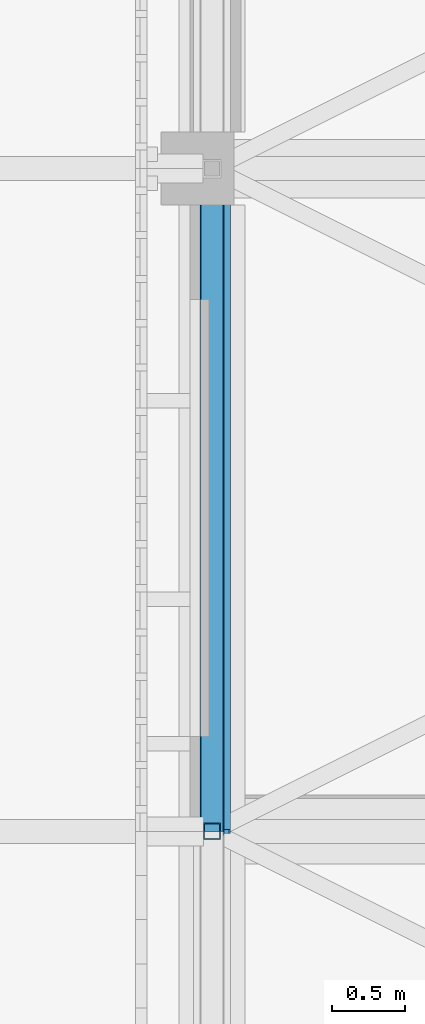
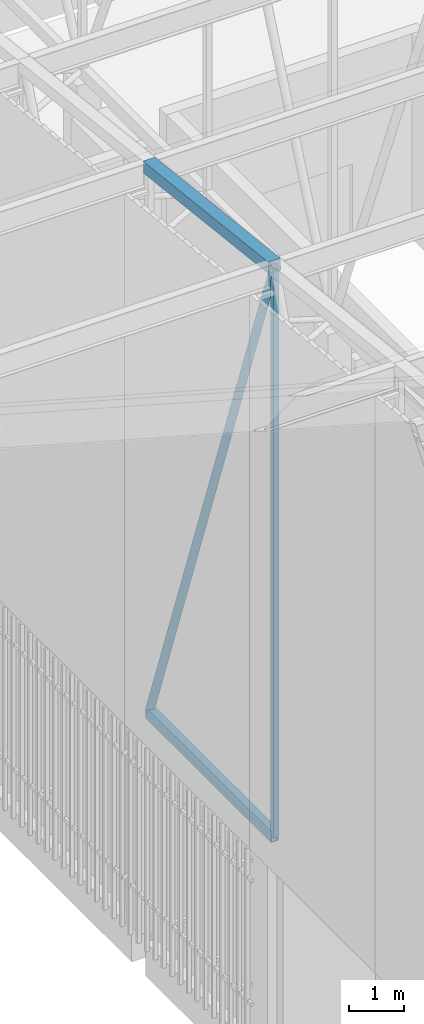
# One storey, part 170 of 500: 4 members.
"""IFC4 building model written with IfcOpenShell, lengths in metres."""

from ifc_helpers import new_model, si_unit, direction, frame, origin, origin_2d, place, context, subcontext, project, spatial, hollow_rectangle, hollow_circle, extrude, material, material_profile, profile_set, type_object, element, save


model = new_model("IFC4")

# Units and contexts
model_context = context("Model", 3, precision=1e-05, world=origin(), true_north=direction((0.0, 1.0)))
body_context = subcontext(model_context, "Body", "Model", "MODEL_VIEW")
ifc_project = project(units=[si_unit("LENGTHUNIT", "METRE"), si_unit("AREAUNIT", "SQUARE_METRE"), si_unit("VOLUMEUNIT", "CUBIC_METRE"), si_unit("PLANEANGLEUNIT", "RADIAN"), si_unit("MASSUNIT", "GRAM", prefix="KILO")], contexts=[model_context])

# Site, building, storey
site_placement = place(None, origin())
site = spatial("IfcSite", under=ifc_project, at=site_placement, CompositionType="ELEMENT")
building_placement = place(site_placement, origin())
building = spatial("IfcBuilding", under=site, at=building_placement, Name="Shirokan Park Arena", CompositionType="ELEMENT")
storey_placement = place(building_placement, frame((0.0, 0.0, 29.1201171875)))
storey = spatial("IfcBuildingStorey", under=building, at=storey_placement, Name="L06", CompositionType="ELEMENT", Elevation=29.1201171875)

# Members
ifc_material = material(Name="Steel ASTM A500 Grade C", Category="steel")
ifc_material_profile_1 = material_profile(ifc_material, hollow_rectangle(XDim=0.152099609375, YDim=0.25390625, WallThickness=0.009521484375, at=origin_2d()), Name="HSS254X152.4X9.5")
ifc_profile_set_1 = profile_set([ifc_material_profile_1], Name="Steel ASTM A500 Grade C")
member_type_1 = type_object("IfcMemberType", Name="Bottom chord HSS254X152.4X9.5", PredefinedType="CHORD", material=ifc_profile_set_1)
member_1_placement = place(storey_placement, frame((0.0, 68.25, 4.677001953125), z_axis=(0.0, 1.0, 0.0), x_axis=(-1.0, 0.0, 0.0)))
element("IfcMember", 1, at=member_1_placement, inside=storey, type_object=member_type_1, Name="Truss T01 bottom chord 18", PredefinedType="CHORD", context=body_context, shape_type="SweptSolid", body=[
    extrude(hollow_rectangle(XDim=0.152099609375, YDim=0.25390625, WallThickness=0.009521484375, at=origin_2d()), origin(), (0.0, 0.0, 1.0), 4.550048828125),
])
ifc_material_profile_2 = material_profile(ifc_material, hollow_rectangle(XDim=0.25390625, YDim=0.25390625, WallThickness=0.009521484375, at=origin_2d()), Name="HSS254X254X9.5")
ifc_profile_set_2 = profile_set([ifc_material_profile_2], Name="Steel ASTM A500 Grade C")
member_type_2 = type_object("IfcMemberType", Name="Top chord HSS254X254X9.5", PredefinedType="CHORD", material=ifc_profile_set_2)
member_2_placement = place(storey_placement, frame((0.0, 68.25, 17.302978515625), z_axis=(0.0, 0.993532328996, -0.113549598152), x_axis=(-1.0, 0.0, 0.0)))
element("IfcMember", 2, at=member_2_placement, inside=storey, type_object=member_type_2, Name="Truss T01 top chord 18", PredefinedType="CHORD", context=body_context, shape_type="SweptSolid", body=[
    extrude(hollow_rectangle(XDim=0.25390625, YDim=0.25390625, WallThickness=0.009521484375, at=origin_2d()), origin(), (0.0, 0.0, 1.0), 4.57958984375),
])
ifc_material_profile_3 = material_profile(ifc_material, hollow_circle(Radius=0.083984375, WallThickness=0.009521484375, at=origin_2d()), Name="HSS168.3X9.5")
ifc_profile_set_3 = profile_set([ifc_material_profile_3], Name="Steel ASTM A500 Grade C")
member_type_3 = type_object("IfcMemberType", Name="Truss diagonal HSS168.3X9.5", PredefinedType="BRACE", material=ifc_profile_set_3)
member_3_placement = place(storey_placement, frame((0.0, 68.25, 17.302978515625), z_axis=(0.0, 0.339029292845, -0.940775817394), x_axis=(-1.0, 0.0, 0.0)))
element("IfcMember", 3, at=member_3_placement, inside=storey, type_object=member_type_3, Name="Truss T01 diagonal 18", PredefinedType="BRACE", context=body_context, shape_type="SweptSolid", body=[
    extrude(hollow_circle(Radius=0.083984375, WallThickness=0.009521484375, at=origin_2d()), origin(), (0.0, 0.0, 1.0), 13.4208984375),
])
ifc_material_profile_4 = material_profile(ifc_material, hollow_rectangle(XDim=0.114013671875, YDim=0.114013671875, WallThickness=0.00634765625, at=origin_2d()), Name="HSS114.3X114.3X6.4")
ifc_profile_set_4 = profile_set([ifc_material_profile_4], Name="Steel ASTM A500 Grade C")
member_type_4 = type_object("IfcMemberType", Name="Truss post HSS114.3X114.3X6.4", PredefinedType="POST", material=ifc_profile_set_4)
member_4_placement = place(storey_placement, frame((0.0, 68.25, 4.677001953125), z_axis=(0.0, 0.0, 1.0), x_axis=(1.0, 0.0, 0.0)))
element("IfcMember", 4, at=member_4_placement, inside=storey, type_object=member_type_4, Name="Truss T01 post 18", PredefinedType="POST", context=body_context, shape_type="SweptSolid", body=[
    extrude(hollow_rectangle(XDim=0.114013671875, YDim=0.114013671875, WallThickness=0.00634765625, at=origin_2d()), origin(), (0.0, 0.0, 1.0), 12.6259765625),
])

save(model, "model.ifc")
